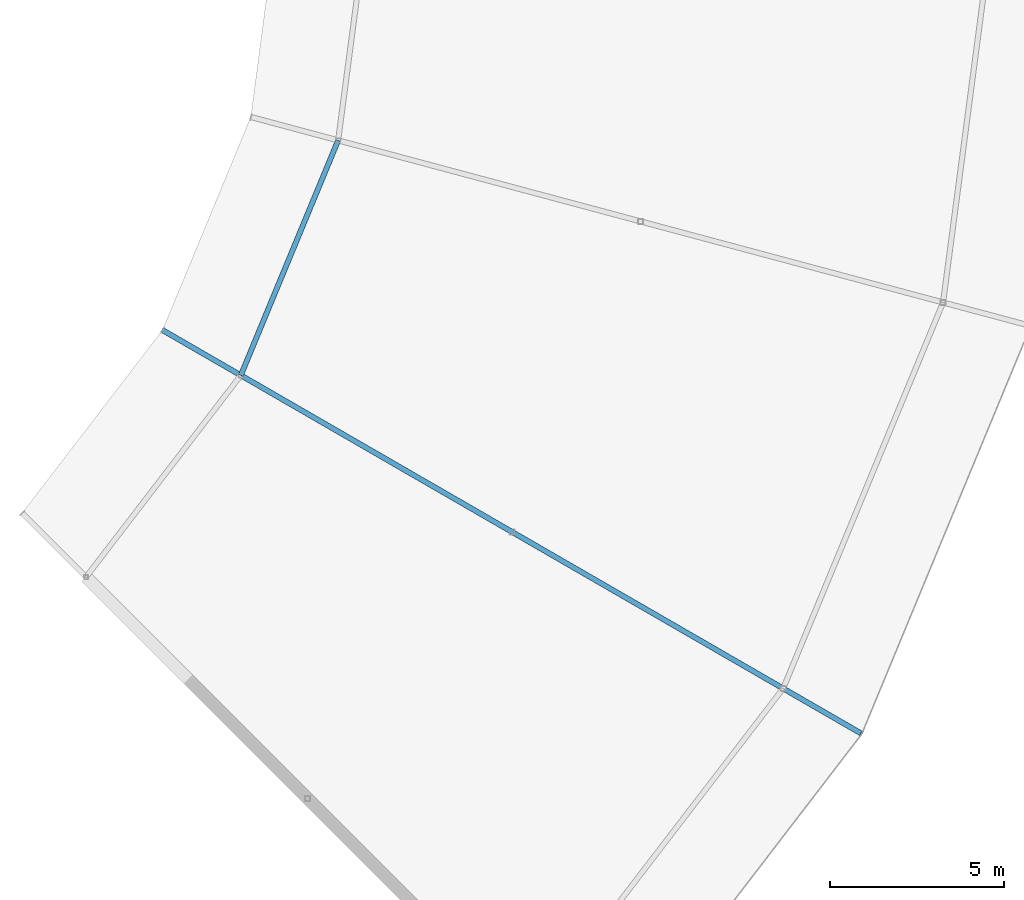
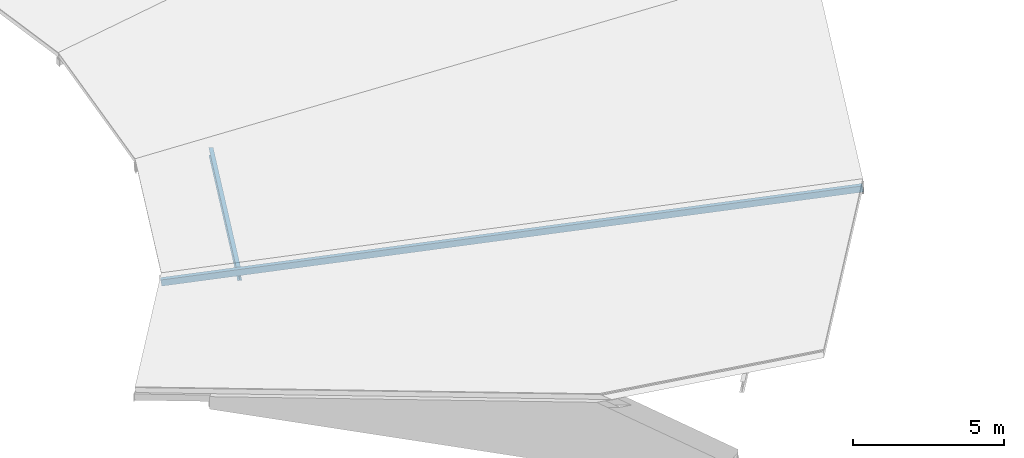
# One storey, part 109 of 200: 1 beam, 1 member.
"""IFC4 building model written with IfcOpenShell, lengths in metres."""

from ifc_helpers import new_model, si_unit, direction, frame, origin, origin_2d, place, context, subcontext, project, spatial, hollow_rectangle, i_section, extrude, material, material_profile, profile_set, type_object, element, save


model = new_model("IFC4")

# Units and contexts
model_context = context("Model", 3, precision=1e-05, world=origin(), true_north=direction((0.0, 1.0)))
body_context = subcontext(model_context, "Body", "Model", "MODEL_VIEW")
ifc_project = project(units=[si_unit("LENGTHUNIT", "METRE"), si_unit("AREAUNIT", "SQUARE_METRE"), si_unit("VOLUMEUNIT", "CUBIC_METRE"), si_unit("PLANEANGLEUNIT", "RADIAN"), si_unit("MASSUNIT", "GRAM", prefix="KILO")], contexts=[model_context])

# Site, building, storey
site_placement = place(None, origin())
site = spatial("IfcSite", under=ifc_project, at=site_placement, CompositionType="ELEMENT")
building_placement = place(site_placement, origin())
building = spatial("IfcBuilding", under=site, at=building_placement, Name="Vondelvale Polytechnic", CompositionType="ELEMENT")
storey_placement = place(building_placement, frame((0.0, 0.0, 13.800048828125)))
storey = spatial("IfcBuildingStorey", under=building, at=storey_placement, Name="L03", CompositionType="ELEMENT", Elevation=13.800048828125)

# Beam
ifc_material_1 = material(Name="Steel 300PLUS (fy = 300 MPa)", Category="steel")
ifc_material_profile_1 = material_profile(ifc_material_1, i_section(OverallWidth=0.14892578125, OverallDepth=0.298095703125, WebThickness=0.005615234375, FlangeThickness=0.008056640625, FilletRadius=0.011474609375, at=origin_2d()), Name="310UB32.0")
ifc_profile_set_1 = profile_set([ifc_material_profile_1], Name="Steel 300PLUS (fy = 300 MPa)")
beam_type = type_object("IfcBeamType", Name="BM-UB310L", PredefinedType="BEAM", material=ifc_profile_set_1)
beam_placement = place(storey_placement, frame((126.248779296875, 58.0, 0.16259765625), z_axis=(0.382667428841, 0.923886161226, 0.0), x_axis=(-0.923886161226, 0.382667428841, 0.0)))
element("IfcBeam", 1, at=beam_placement, inside=storey, type_object=beam_type, Name="L03 RE B-25", PredefinedType="BEAM", context=body_context, shape_type="SweptSolid", body=[
    extrude(i_section(OverallWidth=0.14892578125, OverallDepth=0.298095703125, WebThickness=0.005615234375, FlangeThickness=0.008056640625, FilletRadius=0.011474609375, at=origin_2d()), origin(), (0.0, 0.0, 1.0), 7.3095703125),
])

# Member
ifc_material_2 = material(Name="Steel C350L0 (fy = 350 MPa)", Category="steel")
ifc_material_profile_2 = material_profile(ifc_material_2, hollow_rectangle(XDim=0.14990234375, YDim=0.25, WallThickness=0.006103515625, at=origin_2d()), Name="250x150x6.0RHS")
ifc_profile_set_2 = profile_set([ifc_material_profile_2], Name="Steel C350L0 (fy = 350 MPa)")
member_type = type_object("IfcMemberType", Name="RAFTER RHS250", PredefinedType="RAFTER", material=ifc_profile_set_2)
member_placement = place(storey_placement, frame((144.0888671875, 47.699951171875, 3.765625), z_axis=(-0.85463514825, 0.493427802493, -0.161640858395), x_axis=(-0.500003016864, -0.86602366199, 0.0)))
element("IfcMember", 2, at=member_placement, inside=storey, type_object=member_type, Name="Ring inward-sloping rafter 22", PredefinedType="RAFTER", context=body_context, shape_type="SweptSolid", body=[
    extrude(hollow_rectangle(XDim=0.14990234375, YDim=0.25, WallThickness=0.006103515625, at=origin_2d()), origin(), (0.0, 0.0, 1.0), 23.50927734375),
])

save(model, "model.ifc")
